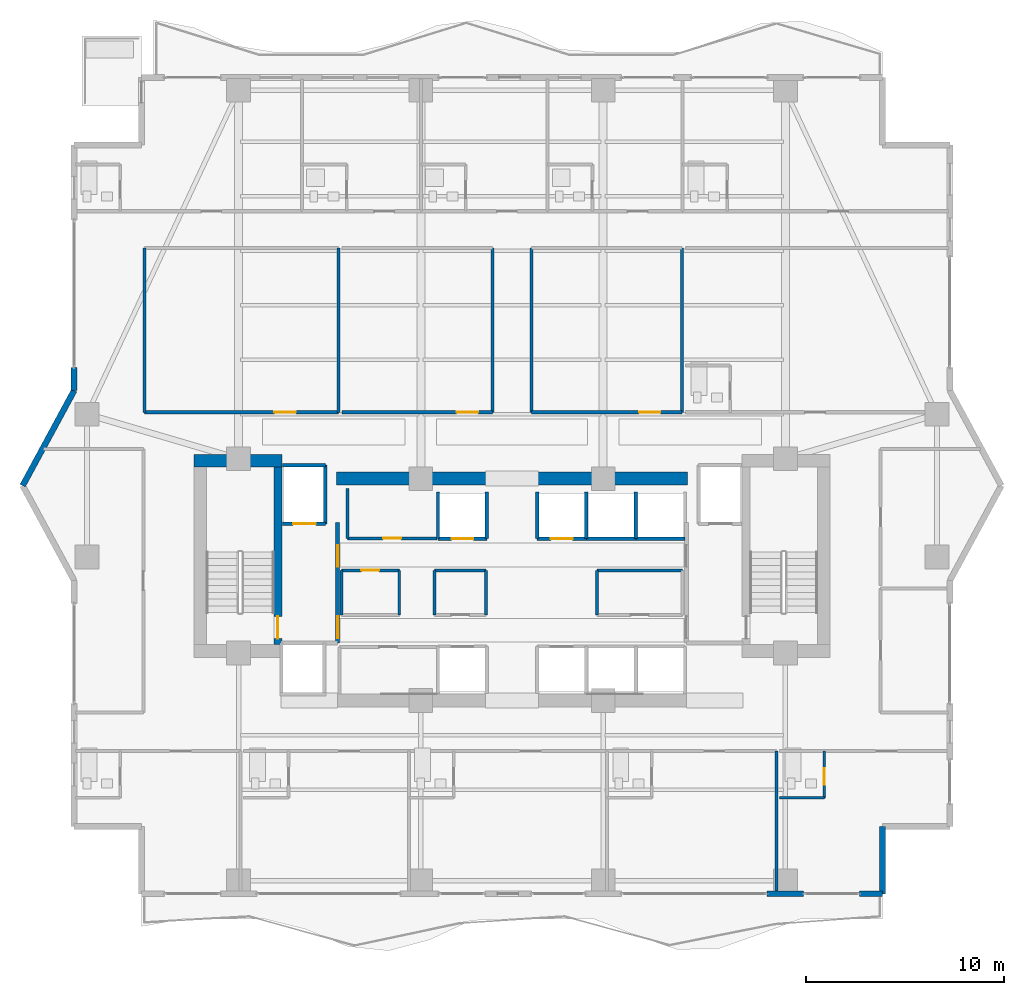
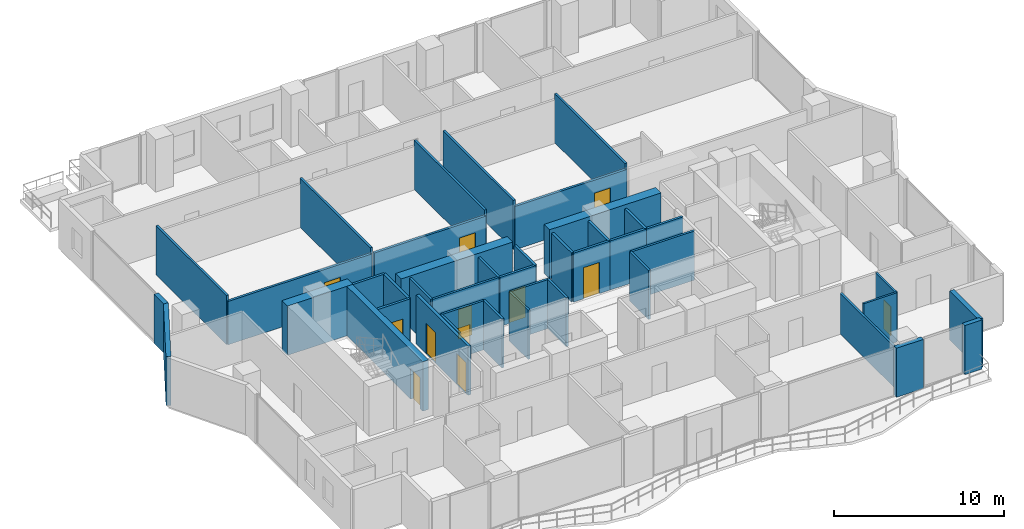
# One storey, part 25 of 32: 43 walls, 12 doors, 12 openings.
"""IFC4 building model written with IfcOpenShell, lengths in metres."""

from ifc_helpers import new_model, si_unit, direction, frame, frame_2d, origin, place, context, subcontext, project, spatial, rectangle, extrude, material, layer, layer_set, type_object, element, fill, save


model = new_model("IFC4")

# Units and contexts
model_context = context("Model", 3, precision=1e-05, world=origin(), true_north=direction((0.0, 1.0)))
body_context = subcontext(model_context, "Body", "Model", "MODEL_VIEW")
ifc_project = project(units=[si_unit("LENGTHUNIT", "METRE"), si_unit("AREAUNIT", "SQUARE_METRE"), si_unit("VOLUMEUNIT", "CUBIC_METRE"), si_unit("PLANEANGLEUNIT", "RADIAN"), si_unit("MASSUNIT", "GRAM", prefix="KILO")], contexts=[model_context])

# Site, building, storey
site_placement = place(None, origin())
site = spatial("IfcSite", under=ifc_project, at=site_placement, CompositionType="ELEMENT")
building_placement = place(site_placement, origin())
building = spatial("IfcBuilding", under=site, at=building_placement, Name="Zuhayl Quay Hotel", CompositionType="ELEMENT")
storey_placement = place(building_placement, frame((0.0, 0.0, 181.14990234375)))
storey = spatial("IfcBuildingStorey", under=building, at=storey_placement, Name="L45", CompositionType="ELEMENT", Elevation=181.14990234375)

# Walls
ifc_material_1 = material(Name="Concrete C50/60", Category="concrete")
ifc_layer_1 = layer(ifc_material_1, 0.64990234375, Name="Concrete C50/60", Category="concrete")
ifc_layer_set_1 = layer_set([ifc_layer_1], Name="Concrete C50/60")
wall_type_1 = type_object("IfcWallType", Name="WL_CORE_650", PredefinedType="SHEAR", material=ifc_layer_set_1)
wall_1_placement = place(storey_placement, frame((-16.06005859375, 14.2548828125, 0.0), z_axis=(0.0, 0.0, 1.0), x_axis=(1.0, 0.0, 0.0)))
element("IfcWall", 1, at=wall_1_placement, inside=storey, type_object=wall_type_1, Name="L45 Core Shear Wall CW_NW", PredefinedType="SHEAR", context=body_context, shape_type="SweptSolid", body=[
    extrude(rectangle(XDim=4.4599609375, YDim=0.64990234375, at=frame_2d((2.22998046875, 0.0))), origin(), (0.0, 0.0, 1.0), 3.56005859375),
])
for number, where, z_axis, x_axis, name in (
    (2, (-8.85009765625, 13.35009765625, 0.0), (0.0, 0.0, 1.0), (1.0, 0.0, 0.0), "L45 Core Shear Wall CW_NC_W"),
    (3, (1.25, 13.35009765625, 0.0), (0.0, 0.0, 1.0), (1.0, 0.0, 0.0), "L45 Core Shear Wall CW_NC_E"),
):
    element("IfcWall", number, at=place(storey_placement, frame(where, z_axis=z_axis, x_axis=x_axis)), inside=storey, type_object=wall_type_1, Name=name, PredefinedType="SHEAR", context=body_context, shape_type="SweptSolid", body=[
        extrude(rectangle(XDim=7.60009765625, YDim=0.64990234375, at=frame_2d((3.800048828125, 0.0))), origin(), (0.0, 0.0, 1.0), 3.530029296875),
    ])
ifc_material_2 = material(Name="Precast concrete C45/55", Category="concrete")
ifc_layer_2 = layer(ifc_material_2, 0.300048828125, Name="Precast concrete C45/55", Category="concrete")
ifc_layer_set_2 = layer_set([ifc_layer_2], Name="Precast concrete C45/55")
wall_type_2 = type_object("IfcWallType", Name="WL_EXT_300", PredefinedType="STANDARD", material=ifc_layer_set_2)
wall_2_placement = place(storey_placement, frame((-24.699951171875, 13.0, 0.0), z_axis=(0.0, 0.0, 1.0), x_axis=(0.476258655584, 0.879305233114, 0.0)))
element("IfcWall", 4, at=wall_2_placement, inside=storey, type_object=wall_type_2, Name="L45 Exterior Precast Wall ENV_L45_EW04", PredefinedType="STANDARD", context=body_context, shape_type="SweptSolid", body=[
    extrude(rectangle(XDim=5.458984375, YDim=0.300048828125, at=frame_2d((2.7294921875, 0.0))), origin(), (0.0, 0.0, 1.0), 3.530029296875),
])
wall_3_placement = place(storey_placement, frame((-22.10009765625, 17.800048828125, 0.0), z_axis=(0.0, 0.0, 1.0), x_axis=(0.0, 1.0, 0.0)))
element("IfcWall", 5, at=wall_3_placement, inside=storey, type_object=wall_type_2, Name="L45 Exterior Precast Wall ENV_L45_E05_EW1", PredefinedType="STANDARD", context=body_context, shape_type="SweptSolid", body=[
    extrude(rectangle(XDim=1.14990234375, YDim=0.300048828125, at=frame_2d((0.574951171875, 0.0))), origin(), (0.0, 0.0, 1.0), 3.530029296875),
])
wall_4_placement = place(storey_placement, frame((18.699951171875, -4.199951171875, 0.0), z_axis=(0.0, 0.0, 1.0), x_axis=(0.0, -1.0, 0.0)))
element("IfcWall", 6, at=wall_4_placement, inside=storey, type_object=wall_type_2, Name="L45 Exterior Precast Wall ENV_L45_EW16", PredefinedType="STANDARD", context=body_context, shape_type="SweptSolid", body=[
    extrude(rectangle(XDim=3.400146484375, YDim=0.300048828125, at=frame_2d((1.7001953125, 0.0))), origin(), (0.0, 0.0, 1.0), 3.530029296875),
])
wall_5_placement = place(storey_placement, frame((18.699951171875, -7.60009765625, 0.0), z_axis=(0.0, 0.0, 1.0), x_axis=(-1.0, 0.0, 0.0)))
element("IfcWall", 7, at=wall_5_placement, inside=storey, type_object=wall_type_2, Name="L45 Exterior Precast Wall ENV_L45_S_EW1", PredefinedType="STANDARD", context=body_context, shape_type="SweptSolid", body=[
    extrude(rectangle(XDim=1.14990234375, YDim=0.300048828125, at=frame_2d((0.574951171875, 0.0))), origin(), (0.0, 0.0, 1.0), 3.530029296875),
])
wall_6_placement = place(storey_placement, frame((14.719970703125, -7.60009765625, 0.0), z_axis=(0.0, 0.0, 1.0), x_axis=(-1.0, 0.0, 0.0)))
element("IfcWall", 8, at=wall_6_placement, inside=storey, type_object=wall_type_2, Name="L45 Exterior Precast Wall ENV_L45_S_EW2", PredefinedType="STANDARD", context=body_context, shape_type="SweptSolid", body=[
    extrude(rectangle(XDim=1.840087890625, YDim=0.300048828125, at=frame_2d((0.919921875, 0.0))), origin(), (0.0, 0.0, 1.0), 3.530029296875),
])

# Wall, opening, door
ifc_material_3 = material(Name="Acoustic Gypsum Partition STC-58")
ifc_layer_3 = layer(ifc_material_3, 0.14990234375, Name="Acoustic Gypsum Partition STC-58")
ifc_layer_set_3 = layer_set([ifc_layer_3], Name="Acoustic Gypsum Partition STC-58")
wall_type_3 = type_object("IfcWallType", Name="WL_PART_150", PredefinedType="PARTITIONING", material=ifc_layer_set_3)
wall_7_placement = place(storey_placement, frame((-8.31005859375, 10.340087890625, 0.0), z_axis=(0.0, 0.0, 1.0), x_axis=(1.0, 0.0, 0.0)))
wall_7 = element("IfcWall", 9, at=wall_7_placement, inside=storey, type_object=wall_type_3, Name="L45 Partition IW_L45_FLP_N_S", PredefinedType="PARTITIONING", context=body_context, shape_type="SweptSolid", body=[
    extrude(rectangle(XDim=4.52001953125, YDim=0.14990234375, at=frame_2d((2.260009765625, 0.0))), origin(), (0.0, 0.0, 1.0), 3.530029296875),
])
opening_1_placement = place(wall_7_placement, frame((1.81005859375, 0.0, 0.0)))
opening_1 = element("IfcOpeningElement", 10, at=opening_1_placement, cuts=wall_7, Name="Opening D06", PredefinedType="OPENING", context=body_context, shape_type="SweptSolid", body=[
    extrude(rectangle(XDim=0.89990234375, YDim=2.14990234375, at=frame_2d((0.449951171875, 1.074951171875))), frame((0.0, 0.0849609375, 0.0), z_axis=(0.0, -1.0, 0.0), x_axis=(1.0, 0.0, 0.0)), (0.0, 0.0, 1.0), 0.169921875),
])
ifc_material_4 = material(Name="Steel ASTM A992 Grade 50", Category="steel")
door_type_1 = type_object("IfcDoorType", Name="DR_INT_900", OperationType="NOTDEFINED", PredefinedType="DOOR", material=ifc_material_4)
door_1_placement = place(opening_1_placement, origin())
door_1 = element("IfcDoor", 11, at=door_1_placement, inside=storey, type_object=door_type_1, Name="L45 Valet Linen Store Door", OperationType="SINGLE_SWING_LEFT", OverallHeight=2.14990234375, OverallWidth=0.89990234375, PredefinedType="DOOR", context=body_context, shape_type="SweptSolid", body=[
    extrude(rectangle(XDim=0.89990234375, YDim=2.14990234375, at=frame_2d((0.449951171875, 1.074951171875))), frame((0.0, 0.02490234375, 0.0), z_axis=(0.0, -1.0, 0.0), x_axis=(1.0, 0.0, 0.0)), (0.0, 0.0, 1.0), 0.050048828125),
])
fill(opening_1, door_1)

wall_8_placement = place(storey_placement, frame((-8.610107421875, 8.719970703125, 0.0), z_axis=(0.0, 0.0, 1.0), x_axis=(1.0, 0.0, 0.0)))
wall_8 = element("IfcWall", 12, at=wall_8_placement, inside=storey, type_object=wall_type_3, Name="L45 Partition IW_L45_CORE_HK_N", PredefinedType="PARTITIONING", context=body_context, shape_type="SweptSolid", body=[
    extrude(rectangle(XDim=2.920166015625, YDim=0.14990234375, at=frame_2d((1.4599609375, 0.0))), origin(), (0.0, 0.0, 1.0), 3.530029296875),
])
opening_2_placement = place(wall_8_placement, frame((1.010009765625, 0.0, 0.0)))
opening_2 = element("IfcOpeningElement", 13, at=opening_2_placement, cuts=wall_8, Name="Opening D06", PredefinedType="OPENING", context=body_context, shape_type="SweptSolid", body=[
    extrude(rectangle(XDim=0.89990234375, YDim=2.14990234375, at=frame_2d((0.449951171875, 1.074951171875))), frame((0.0, 0.0849609375, 0.0), z_axis=(0.0, -1.0, 0.0), x_axis=(1.0, 0.0, 0.0)), (0.0, 0.0, 1.0), 0.169921875),
])
door_2_placement = place(opening_2_placement, origin())
door_2 = element("IfcDoor", 14, at=door_2_placement, inside=storey, type_object=door_type_1, Name="L45 Core Housekeeping Store Door", OperationType="SINGLE_SWING_RIGHT", OverallHeight=2.14990234375, OverallWidth=0.89990234375, PredefinedType="DOOR", context=body_context, shape_type="SweptSolid", body=[
    extrude(rectangle(XDim=0.89990234375, YDim=2.14990234375, at=frame_2d((0.449951171875, 1.074951171875))), frame((0.0, 0.02490234375, 0.0), z_axis=(0.0, -1.0, 0.0), x_axis=(1.0, 0.0, 0.0)), (0.0, 0.0, 1.0), 0.050048828125),
])
fill(opening_2, door_2)

# Walls
wall_9_placement = place(storey_placement, frame((-8.31005859375, 10.340087890625, 0.0), z_axis=(0.0, 0.0, 1.0), x_axis=(0.0, 1.0, 0.0)))
element("IfcWall", 15, at=wall_9_placement, inside=storey, type_object=wall_type_3, Name="L45 Partition IW_L45_FLP_N_W", PredefinedType="PARTITIONING", context=body_context, shape_type="SweptSolid", body=[
    extrude(rectangle(XDim=2.52001953125, YDim=0.14990234375, at=frame_2d((1.260009765625, 0.0))), origin(), (0.0, 0.0, 1.0), 3.530029296875),
])
for number, where, z_axis, x_axis, name in (
    (16, (-8.610107421875, 6.47998046875, 0.0), (0.0, 0.0, 1.0), (0.0, 1.0, 0.0), "L45 Partition IW_L45_CORE_HK_W"),
    (17, (-5.68994140625, 6.47998046875, 0.0), (0.0, 0.0, 1.0), (0.0, 1.0, 0.0), "L45 Partition IW_L45_CORE_HK_E"),
):
    element("IfcWall", number, at=place(storey_placement, frame(where, z_axis=z_axis, x_axis=x_axis)), inside=storey, type_object=wall_type_3, Name=name, PredefinedType="PARTITIONING", context=body_context, shape_type="SweptSolid", body=[
        extrude(rectangle(XDim=2.239990234375, YDim=0.14990234375, at=frame_2d((1.1201171875, 0.0))), origin(), (0.0, 0.0, 1.0), 3.530029296875),
    ])
wall_10_placement = place(storey_placement, frame((-3.909912109375, 8.719970703125, 0.0), z_axis=(0.0, 0.0, 1.0), x_axis=(1.0, 0.0, 0.0)))
element("IfcWall", 18, at=wall_10_placement, inside=storey, type_object=wall_type_3, Name="L45 Partition IW_L45_CORE_BC_N", PredefinedType="PARTITIONING", context=body_context, shape_type="SweptSolid", body=[
    extrude(rectangle(XDim=2.58984375, YDim=0.14990234375, at=frame_2d((1.294921875, 0.0))), origin(), (0.0, 0.0, 1.0), 3.530029296875),
])
for number, where, z_axis, x_axis, name in (
    (19, (-3.909912109375, 6.47998046875, 0.0), (0.0, 0.0, 1.0), (0.0, 1.0, 0.0), "L45 Partition IW_L45_CORE_BC_W"),
    (20, (-1.320068359375, 6.47998046875, 0.0), (0.0, 0.0, 1.0), (0.0, 1.0, 0.0), "L45 Partition IW_L45_CORE_BC_E"),
):
    element("IfcWall", number, at=place(storey_placement, frame(where, z_axis=z_axis, x_axis=x_axis)), inside=storey, type_object=wall_type_3, Name=name, PredefinedType="PARTITIONING", context=body_context, shape_type="SweptSolid", body=[
        extrude(rectangle(XDim=2.239990234375, YDim=0.14990234375, at=frame_2d((1.1201171875, 0.0))), origin(), (0.0, 0.0, 1.0), 3.530029296875),
    ])
wall_11_placement = place(storey_placement, frame((4.2900390625, 8.719970703125, 0.0), z_axis=(0.0, 0.0, 1.0), x_axis=(1.0, 0.0, 0.0)))
element("IfcWall", 21, at=wall_11_placement, inside=storey, type_object=wall_type_3, Name="L45 Partition IW_L45_CORE_VL_N", PredefinedType="PARTITIONING", context=body_context, shape_type="SweptSolid", body=[
    extrude(rectangle(XDim=4.320068359375, YDim=0.14990234375, at=frame_2d((2.16015625, 0.0))), origin(), (0.0, 0.0, 1.0), 3.530029296875),
])
wall_12_placement = place(storey_placement, frame((4.2900390625, 6.47998046875, 0.0), z_axis=(0.0, 0.0, 1.0), x_axis=(0.0, 1.0, 0.0)))
element("IfcWall", 22, at=wall_12_placement, inside=storey, type_object=wall_type_3, Name="L45 Partition IW_L45_CORE_VL_W", PredefinedType="PARTITIONING", context=body_context, shape_type="SweptSolid", body=[
    extrude(rectangle(XDim=2.239990234375, YDim=0.14990234375, at=frame_2d((1.1201171875, 0.0))), origin(), (0.0, 0.0, 1.0), 3.530029296875),
])
for number, where, z_axis, x_axis, name in (
    (23, (-18.550048828125, 16.699951171875, 0.0), (0.0, 0.0, 1.0), (0.0, 1.0, 0.0), "L45 Partition IW_L45_Z3_SAL_W1_W"),
    (24, (-8.75, 16.699951171875, 0.0), (0.0, 0.0, 1.0), (0.0, 1.0, 0.0), "L45 Partition IW_L45_Z3_SAL_W1_E"),
    (25, (-0.97998046875, 16.699951171875, 0.0), (0.0, 0.0, 1.0), (0.0, 1.0, 0.0), "L45 Partition IW_L45_Z3_SAL_W2_E"),
    (26, (0.97998046875, 16.699951171875, 0.0), (0.0, 0.0, 1.0), (0.0, 1.0, 0.0), "L45 Partition IW_L45_Z3_SAL_E1_W"),
    (27, (8.590087890625, 16.699951171875, 0.0), (0.0, 0.0, 1.0), (0.0, 1.0, 0.0), "L45 Partition IW_L45_Z3_SAL_E1_E"),
):
    element("IfcWall", number, at=place(storey_placement, frame(where, z_axis=z_axis, x_axis=x_axis)), inside=storey, type_object=wall_type_3, Name=name, PredefinedType="PARTITIONING", context=body_context, shape_type="SweptSolid", body=[
        extrude(rectangle(XDim=8.300048828125, YDim=0.14990234375, at=frame_2d((4.14990234375, 0.0))), origin(), (0.0, 0.0, 1.0), 3.530029296875),
    ])
wall_13_placement = place(storey_placement, frame((13.340087890625, -7.52001953125, 0.0), z_axis=(0.0, 0.0, 1.0), x_axis=(0.0, 1.0, 0.0)))
element("IfcWall", 28, at=wall_13_placement, inside=storey, type_object=wall_type_3, Name="L45 Partition IW_L45_SU03A_E", PredefinedType="PARTITIONING", context=body_context, shape_type="SweptSolid", body=[
    extrude(rectangle(XDim=7.1201171875, YDim=0.14990234375, at=frame_2d((3.56005859375, 0.0))), origin(), (0.0, 0.0, 1.0), 2.923095703125),
])

# Wall, opening, door
ifc_layer_4 = layer(ifc_material_3, 0.159912109375, Name="Acoustic Gypsum Partition STC-58")
ifc_layer_set_4 = layer_set([ifc_layer_4], Name="Acoustic Gypsum Partition STC-58")
wall_type_4 = type_object("IfcWallType", Name="WL_PART_CORR_160", PredefinedType="PARTITIONING", material=ifc_layer_set_4)
wall_14_placement = place(storey_placement, frame((-18.550048828125, 16.699951171875, 0.0), z_axis=(0.0, 0.0, 1.0), x_axis=(1.0, 0.0, 0.0)))
wall_14 = element("IfcWall", 29, at=wall_14_placement, inside=storey, type_object=wall_type_4, Name="L45 Partition IW_L45_Z3_SAL_W1_S", PredefinedType="PARTITIONING", context=body_context, shape_type="SweptSolid", body=[
    extrude(rectangle(XDim=9.800048828125, YDim=0.159912109375, at=frame_2d((4.89990234375, 0.0))), origin(), (0.0, 0.0, 1.0), 3.1240234375),
])
opening_3_placement = place(wall_14_placement, frame((6.56005859375, 0.0, 0.0)))
opening_3 = element("IfcOpeningElement", 30, at=opening_3_placement, cuts=wall_14, Name="Opening D05A", PredefinedType="OPENING", context=body_context, shape_type="SweptSolid", body=[
    extrude(rectangle(XDim=1.080078125, YDim=2.179931640625, at=frame_2d((0.5400390625, 1.08984375))), frame((0.0, 0.08984375, 0.0), z_axis=(0.0, -1.0, 0.0), x_axis=(1.0, 0.0, 0.0)), (0.0, 0.0, 1.0), 0.179931640625),
])
ifc_material_5 = material(Name="Solid Walnut Acoustic Fire Door")
door_type_2 = type_object("IfcDoorType", Name="DR_INT_1100", OperationType="NOTDEFINED", PredefinedType="DOOR", material=ifc_material_5)
door_3_placement = place(opening_3_placement, origin())
door_3 = element("IfcDoor", 31, at=door_3_placement, inside=storey, type_object=door_type_2, Name="L45 Spa Club Salon Door", OperationType="SINGLE_SWING_LEFT", OverallHeight=2.179931640625, OverallWidth=1.080078125, PredefinedType="DOOR", context=body_context, shape_type="SweptSolid", body=[
    extrude(rectangle(XDim=1.080078125, YDim=2.179931640625, at=frame_2d((0.5400390625, 1.08984375))), frame((0.0, 0.02490234375, 0.0), z_axis=(0.0, -1.0, 0.0), x_axis=(1.0, 0.0, 0.0)), (0.0, 0.0, 1.0), 0.050048828125),
])
fill(opening_3, door_3)

wall_15_placement = place(storey_placement, frame((-8.590087890625, 16.699951171875, 0.0), z_axis=(0.0, 0.0, 1.0), x_axis=(1.0, 0.0, 0.0)))
wall_15 = element("IfcWall", 32, at=wall_15_placement, inside=storey, type_object=wall_type_4, Name="L45 Partition IW_L45_Z3_SAL_W2_S", PredefinedType="PARTITIONING", context=body_context, shape_type="SweptSolid", body=[
    extrude(rectangle(XDim=7.610107421875, YDim=0.159912109375, at=frame_2d((3.80517578125, 0.0))), origin(), (0.0, 0.0, 1.0), 3.1240234375),
])
opening_4_placement = place(wall_15_placement, frame((5.800048828125, 0.0, 0.0)))
opening_4 = element("IfcOpeningElement", 33, at=opening_4_placement, cuts=wall_15, Name="Opening D05A", PredefinedType="OPENING", context=body_context, shape_type="SweptSolid", body=[
    extrude(rectangle(XDim=1.080078125, YDim=2.179931640625, at=frame_2d((0.5400390625, 1.08984375))), frame((0.0, 0.08984375, 0.0), z_axis=(0.0, -1.0, 0.0), x_axis=(1.0, 0.0, 0.0)), (0.0, 0.0, 1.0), 0.179931640625),
])
door_4_placement = place(opening_4_placement, origin())
door_4 = element("IfcDoor", 34, at=door_4_placement, inside=storey, type_object=door_type_2, Name="L45 Spa Reading Lounge Door", OperationType="SINGLE_SWING_RIGHT", OverallHeight=2.179931640625, OverallWidth=1.080078125, PredefinedType="DOOR", context=body_context, shape_type="SweptSolid", body=[
    extrude(rectangle(XDim=1.080078125, YDim=2.179931640625, at=frame_2d((0.5400390625, 1.08984375))), frame((0.0, 0.02490234375, 0.0), z_axis=(0.0, -1.0, 0.0), x_axis=(1.0, 0.0, 0.0)), (0.0, 0.0, 1.0), 0.050048828125),
])
fill(opening_4, door_4)

wall_16_placement = place(storey_placement, frame((0.97998046875, 16.699951171875, 0.0), z_axis=(0.0, 0.0, 1.0), x_axis=(1.0, 0.0, 0.0)))
wall_16 = element("IfcWall", 35, at=wall_16_placement, inside=storey, type_object=wall_type_4, Name="L45 Partition IW_L45_Z3_SAL_E1_S", PredefinedType="PARTITIONING", context=body_context, shape_type="SweptSolid", body=[
    extrude(rectangle(XDim=7.610107421875, YDim=0.159912109375, at=frame_2d((3.80517578125, 0.0))), origin(), (0.0, 0.0, 1.0), 3.1240234375),
])
opening_5_placement = place(wall_16_placement, frame((5.429931640625, 0.0, 0.0)))
opening_5 = element("IfcOpeningElement", 36, at=opening_5_placement, cuts=wall_16, Name="Opening D05A", PredefinedType="OPENING", context=body_context, shape_type="SweptSolid", body=[
    extrude(rectangle(XDim=1.080078125, YDim=2.179931640625, at=frame_2d((0.5400390625, 1.08984375))), frame((0.0, 0.08984375, 0.0), z_axis=(0.0, -1.0, 0.0), x_axis=(1.0, 0.0, 0.0)), (0.0, 0.0, 1.0), 0.179931640625),
])
door_5_placement = place(opening_5_placement, origin())
door_5 = element("IfcDoor", 37, at=door_5_placement, inside=storey, type_object=door_type_2, Name="L45 Club Concierge Salon Door", OperationType="SINGLE_SWING_LEFT", OverallHeight=2.179931640625, OverallWidth=1.080078125, PredefinedType="DOOR", context=body_context, shape_type="SweptSolid", body=[
    extrude(rectangle(XDim=1.080078125, YDim=2.179931640625, at=frame_2d((0.5400390625, 1.08984375))), frame((0.0, 0.02490234375, 0.0), z_axis=(0.0, -1.0, 0.0), x_axis=(1.0, 0.0, 0.0)), (0.0, 0.0, 1.0), 0.050048828125),
])
fill(opening_5, door_5)

ifc_material_6 = material(Name="Moisture-Resistant Sanitarychase Gypsum")
ifc_layer_5 = layer(ifc_material_6, 0.135009765625, Name="Moisture-Resistant Sanitarychase Gypsum")
ifc_layer_set_5 = layer_set([ifc_layer_5], Name="Moisture-Resistant Sanitarychase Gypsum")
wall_type_5 = type_object("IfcWallType", Name="WL_PART_PLUMB_150", PredefinedType="PLUMBINGWALL", material=ifc_layer_set_5)
wall_17_placement = place(storey_placement, frame((15.760009765625, -2.760009765625, 0.0), z_axis=(0.0, 0.0, 1.0), x_axis=(0.0, 1.0, 0.0)))
wall_17 = element("IfcWall", 38, at=wall_17_placement, inside=storey, type_object=wall_type_5, Name="L45 Partition IW_L45_SU03B_BE", PredefinedType="PLUMBINGWALL", context=body_context, shape_type="SweptSolid", body=[
    extrude(rectangle(XDim=2.360107421875, YDim=0.135009765625, at=frame_2d((1.18017578125, 0.0))), origin(), (0.0, 0.0, 1.0), 3.530029296875),
])
opening_6_placement = place(wall_17_placement, frame((0.64990234375, 0.0, 0.0)))
opening_6 = element("IfcOpeningElement", 39, at=opening_6_placement, cuts=wall_17, Name="Opening D04", PredefinedType="OPENING", context=body_context, shape_type="SweptSolid", body=[
    extrude(rectangle(XDim=0.85009765625, YDim=2.10009765625, at=frame_2d((0.425048828125, 1.050048828125))), frame((0.0, 0.077392578125, 0.0), z_axis=(0.0, -1.0, 0.0), x_axis=(1.0, 0.0, 0.0)), (0.0, 0.0, 1.0), 0.155029296875),
])
ifc_material_7 = material(Name="Moisture-Resistant Walnut Veneer")
door_type_3 = type_object("IfcDoorType", Name="DR_BATH_850", OperationType="NOTDEFINED", PredefinedType="DOOR", material=ifc_material_7)
door_6_placement = place(opening_6_placement, origin())
door_6 = element("IfcDoor", 40, at=door_6_placement, inside=storey, type_object=door_type_3, Name="L45 City-View Junior Suite L45-03B En-Suite Door", OperationType="SINGLE_SWING_RIGHT", OverallHeight=2.10009765625, OverallWidth=0.85009765625, PredefinedType="DOOR", context=body_context, shape_type="SweptSolid", body=[
    extrude(rectangle(XDim=0.85009765625, YDim=2.10009765625, at=frame_2d((0.425048828125, 1.050048828125))), frame((0.0, 0.02490234375, 0.0), z_axis=(0.0, -1.0, 0.0), x_axis=(1.0, 0.0, 0.0)), (0.0, 0.0, 1.0), 0.050048828125),
])
fill(opening_6, door_6)

# Wall
wall_18_placement = place(storey_placement, frame((13.5, -2.760009765625, 0.0), z_axis=(0.0, 0.0, 1.0), x_axis=(1.0, 0.0, 0.0)))
element("IfcWall", 41, at=wall_18_placement, inside=storey, type_object=wall_type_5, Name="L45 Partition IW_L45_SU03B_BS", PredefinedType="PLUMBINGWALL", context=body_context, shape_type="SweptSolid", body=[
    extrude(rectangle(XDim=2.260009765625, YDim=0.135009765625, at=frame_2d((1.1298828125, 0.0))), origin(), (0.0, 0.0, 1.0), 3.530029296875),
])

# Wall, opening, door
ifc_material_8 = material(Name="Gypsum Fireboard Assembly EI-90")
ifc_layer_6 = layer(ifc_material_8, 0.1650390625, Name="Gypsum Fireboard Assembly EI-90")
ifc_layer_set_6 = layer_set([ifc_layer_6], Name="Gypsum Fireboard Assembly EI-90")
wall_type_6 = type_object("IfcWallType", Name="WL_PART_SHAFT_160", PredefinedType="PARTITIONING", material=ifc_layer_set_6)
wall_19_placement = place(storey_placement, frame((-11.580078125, 11.070068359375, 0.0), z_axis=(0.0, 0.0, 1.0), x_axis=(1.0, 0.0, 0.0)))
wall_19 = element("IfcWall", 42, at=wall_19_placement, inside=storey, type_object=wall_type_6, Name="L45 Partition IW_L45_SH_FL1_F", PredefinedType="PARTITIONING", context=body_context, shape_type="SweptSolid", body=[
    extrude(rectangle(XDim=2.16015625, YDim=0.1650390625, at=frame_2d((1.080078125, 0.0))), origin(), (0.0, 0.0, 1.0), 3.530029296875),
])
opening_7_placement = place(wall_19_placement, frame((0.530029296875, 0.0, 0.0)))
opening_7 = element("IfcOpeningElement", 43, at=opening_7_placement, cuts=wall_19, Name="Opening LD2", PredefinedType="OPENING", context=body_context, shape_type="SweptSolid", body=[
    extrude(rectangle(XDim=1.14990234375, YDim=2.25, at=frame_2d((0.574951171875, 1.125))), frame((0.0, 0.092529296875, 0.0), z_axis=(0.0, -1.0, 0.0), x_axis=(1.0, 0.0, 0.0)), (0.0, 0.0, 1.0), 0.18505859375),
])
ifc_material_9 = material(Name="Brushed Stainless Steel", Category="steel")
door_type_4 = type_object("IfcDoorType", Name="DR_LIFT_FF_1100", OperationType="SLIDING_TO_LEFT", PredefinedType="DOOR", material=ifc_material_9)
door_7_placement = place(opening_7_placement, origin())
door_7 = element("IfcDoor", 44, at=door_7_placement, inside=storey, type_object=door_type_4, Name="L45 Lift FL1 Sliding Landing Door", OperationType="SLIDING_TO_LEFT", OverallHeight=2.25, OverallWidth=1.14990234375, PredefinedType="DOOR", context=body_context, shape_type="SweptSolid", body=[
    extrude(rectangle(XDim=1.14990234375, YDim=2.25, at=frame_2d((0.574951171875, 1.125))), frame((0.0, 0.02490234375, 0.0), z_axis=(0.0, -1.0, 0.0), x_axis=(1.0, 0.0, 0.0)), (0.0, 0.0, 1.0), 0.050048828125),
])
fill(opening_7, door_7)

wall_20_placement = place(storey_placement, frame((-3.72998046875, 10.320068359375, 0.0), z_axis=(0.0, 0.0, 1.0), x_axis=(1.0, 0.0, 0.0)))
wall_20 = element("IfcWall", 45, at=wall_20_placement, inside=storey, type_object=wall_type_6, Name="L45 Partition IW_L45_SH_MP3_F", PredefinedType="PARTITIONING", context=body_context, shape_type="SweptSolid", body=[
    extrude(rectangle(XDim=2.4599609375, YDim=0.1650390625, at=frame_2d((1.22998046875, 0.0))), origin(), (0.0, 0.0, 1.0), 3.530029296875),
])
opening_8_placement = place(wall_20_placement, frame((0.679931640625, 0.0, 0.0)))
opening_8 = element("IfcOpeningElement", 46, at=opening_8_placement, cuts=wall_20, Name="Opening LD1", PredefinedType="OPENING", context=body_context, shape_type="SweptSolid", body=[
    extrude(rectangle(XDim=1.10009765625, YDim=2.25, at=frame_2d((0.550048828125, 1.125))), frame((0.0, 0.092529296875, 0.0), z_axis=(0.0, -1.0, 0.0), x_axis=(1.0, 0.0, 0.0)), (0.0, 0.0, 1.0), 0.18505859375),
])
door_type_5 = type_object("IfcDoorType", Name="DR_LIFT_PASS_1100", OperationType="SLIDING_TO_LEFT", PredefinedType="DOOR", material=ifc_material_9)
door_8_placement = place(opening_8_placement, origin())
door_8 = element("IfcDoor", 47, at=door_8_placement, inside=storey, type_object=door_type_5, Name="L45 Lift MP3 Sliding Landing Door", OperationType="SLIDING_TO_LEFT", OverallHeight=2.25, OverallWidth=1.10009765625, PredefinedType="DOOR", context=body_context, shape_type="SweptSolid", body=[
    extrude(rectangle(XDim=1.10009765625, YDim=2.25, at=frame_2d((0.550048828125, 1.125))), frame((0.0, 0.02490234375, 0.0), z_axis=(0.0, -1.0, 0.0), x_axis=(1.0, 0.0, 0.0)), (0.0, 0.0, 1.0), 0.050048828125),
])
fill(opening_8, door_8)

wall_21_placement = place(storey_placement, frame((1.27001953125, 10.320068359375, 0.0), z_axis=(0.0, 0.0, 1.0), x_axis=(1.0, 0.0, 0.0)))
wall_21 = element("IfcWall", 48, at=wall_21_placement, inside=storey, type_object=wall_type_6, Name="L45 Partition IW_L45_SH_MP4_F", PredefinedType="PARTITIONING", context=body_context, shape_type="SweptSolid", body=[
    extrude(rectangle(XDim=2.47998046875, YDim=0.1650390625, at=frame_2d((1.239990234375, 0.0))), origin(), (0.0, 0.0, 1.0), 3.530029296875),
])
opening_9_placement = place(wall_21_placement, frame((0.68994140625, 0.0, 0.0)))
opening_9 = element("IfcOpeningElement", 49, at=opening_9_placement, cuts=wall_21, Name="Opening LD1", PredefinedType="OPENING", context=body_context, shape_type="SweptSolid", body=[
    extrude(rectangle(XDim=1.10009765625, YDim=2.25, at=frame_2d((0.550048828125, 1.125))), frame((0.0, 0.092529296875, 0.0), z_axis=(0.0, -1.0, 0.0), x_axis=(1.0, 0.0, 0.0)), (0.0, 0.0, 1.0), 0.18505859375),
])
door_9_placement = place(opening_9_placement, origin())
door_9 = element("IfcDoor", 50, at=door_9_placement, inside=storey, type_object=door_type_5, Name="L45 Lift MP4 Sliding Landing Door", OperationType="SLIDING_TO_LEFT", OverallHeight=2.25, OverallWidth=1.10009765625, PredefinedType="DOOR", context=body_context, shape_type="SweptSolid", body=[
    extrude(rectangle(XDim=1.10009765625, YDim=2.25, at=frame_2d((0.550048828125, 1.125))), frame((0.0, 0.02490234375, 0.0), z_axis=(0.0, -1.0, 0.0), x_axis=(1.0, 0.0, 0.0)), (0.0, 0.0, 1.0), 0.050048828125),
])
fill(opening_9, door_9)

# Walls
wall_22_placement = place(storey_placement, frame((-9.419921875, 11.070068359375, 0.0), z_axis=(0.0, 0.0, 1.0), x_axis=(0.0, 1.0, 0.0)))
element("IfcWall", 51, at=wall_22_placement, inside=storey, type_object=wall_type_6, Name="L45 Partition IW_L45_SH_FL1_E", PredefinedType="PARTITIONING", context=body_context, shape_type="SweptSolid", body=[
    extrude(rectangle(XDim=2.9599609375, YDim=0.1650390625, at=frame_2d((1.47998046875, 0.0))), origin(), (0.0, 0.0, 1.0), 3.530029296875),
])
wall_23_placement = place(storey_placement, frame((-11.580078125, 14.030029296875, 0.0), z_axis=(0.0, 0.0, 1.0), x_axis=(1.0, 0.0, 0.0)))
element("IfcWall", 52, at=wall_23_placement, inside=storey, type_object=wall_type_6, Name="L45 Partition IW_L45_SH_FL1_B", PredefinedType="PARTITIONING", context=body_context, shape_type="SweptSolid", body=[
    extrude(rectangle(XDim=2.16015625, YDim=0.1650390625, at=frame_2d((1.080078125, 0.0))), origin(), (0.0, 0.0, 1.0), 3.530029296875),
])
for number, where, z_axis, x_axis, name in (
    (53, (-3.72998046875, 10.320068359375, 0.0), (0.0, 0.0, 1.0), (0.0, 1.0, 0.0), "L45 Partition IW_L45_SH_MP3_W"),
    (54, (-1.27001953125, 10.320068359375, 0.0), (0.0, 0.0, 1.0), (0.0, 1.0, 0.0), "L45 Partition IW_L45_SH_MP3_E"),
    (55, (1.27001953125, 10.320068359375, 0.0), (0.0, 0.0, 1.0), (0.0, 1.0, 0.0), "L45 Partition IW_L45_SH_MP4_W"),
    (56, (3.75, 10.320068359375, 0.0), (0.0, 0.0, 1.0), (0.0, 1.0, 0.0), "L45 Partition IW_L45_SH_MP4_E"),
):
    element("IfcWall", number, at=place(storey_placement, frame(where, z_axis=z_axis, x_axis=x_axis)), inside=storey, type_object=wall_type_6, Name=name, PredefinedType="PARTITIONING", context=body_context, shape_type="SweptSolid", body=[
        extrude(rectangle(XDim=2.35986328125, YDim=0.1650390625, at=frame_2d((1.179931640625, 0.0))), origin(), (0.0, 0.0, 1.0), 3.530029296875),
    ])
wall_24_placement = place(storey_placement, frame((3.75, 10.320068359375, 0.0), z_axis=(0.0, 0.0, 1.0), x_axis=(1.0, 0.0, 0.0)))
element("IfcWall", 57, at=wall_24_placement, inside=storey, type_object=wall_type_6, Name="L45 Partition IW_L45_SH_HP3_F", PredefinedType="PARTITIONING", context=body_context, shape_type="SweptSolid", body=[
    extrude(rectangle(XDim=2.5, YDim=0.1650390625, at=frame_2d((1.25, 0.0))), origin(), (0.0, 0.0, 1.0), 3.530029296875),
])
wall_25_placement = place(storey_placement, frame((6.25, 10.320068359375, 0.0), z_axis=(0.0, 0.0, 1.0), x_axis=(0.0, 1.0, 0.0)))
element("IfcWall", 58, at=wall_25_placement, inside=storey, type_object=wall_type_6, Name="L45 Partition IW_L45_SH_HP3_E", PredefinedType="PARTITIONING", context=body_context, shape_type="SweptSolid", body=[
    extrude(rectangle(XDim=2.35986328125, YDim=0.1650390625, at=frame_2d((1.179931640625, 0.0))), origin(), (0.0, 0.0, 1.0), 3.530029296875),
])
wall_26_placement = place(storey_placement, frame((6.25, 10.320068359375, 0.0), z_axis=(0.0, 0.0, 1.0), x_axis=(1.0, 0.0, 0.0)))
element("IfcWall", 59, at=wall_26_placement, inside=storey, type_object=wall_type_6, Name="L45 Partition IW_L45_SH_HP4_F", PredefinedType="PARTITIONING", context=body_context, shape_type="SweptSolid", body=[
    extrude(rectangle(XDim=2.47998046875, YDim=0.1650390625, at=frame_2d((1.239990234375, 0.0))), origin(), (0.0, 0.0, 1.0), 3.530029296875),
])

# Wall, openings, doors
ifc_material_10 = material(Name="Gypsum Fireboard Assembly EI-120")
ifc_layer_7 = layer(ifc_material_10, 0.199951171875, Name="Gypsum Fireboard Assembly EI-120")
ifc_layer_set_7 = layer_set([ifc_layer_7], Name="Gypsum Fireboard Assembly EI-120")
wall_type_7 = type_object("IfcWallType", Name="WL_PART_SHAFT_200", PredefinedType="PARTITIONING", material=ifc_layer_set_7)
wall_27_placement = place(storey_placement, frame((-8.800048828125, 5.050048828125, 0.0), z_axis=(0.0, 0.0, 1.0), x_axis=(0.0, 1.0, 0.0)))
wall_27 = element("IfcWall", 60, at=wall_27_placement, inside=storey, type_object=wall_type_7, Name="L45 Partition IW_L45_FSAE_W_E", PredefinedType="PARTITIONING", context=body_context, shape_type="SweptSolid", body=[
    extrude(rectangle(XDim=6.099853515625, YDim=0.199951171875, at=frame_2d((3.0498046875, 0.0))), origin(), (0.0, 0.0, 1.0), 3.530029296875),
])
opening_10_placement = place(wall_27_placement, frame((0.25, 0.0, 0.0)))
opening_10 = element("IfcOpeningElement", 61, at=opening_10_placement, cuts=wall_27, Name="Opening D02", PredefinedType="OPENING", context=body_context, shape_type="SweptSolid", body=[
    extrude(rectangle(XDim=1.10009765625, YDim=2.199951171875, at=frame_2d((0.550048828125, 1.10009765625))), frame((0.0, 0.10986328125, 0.0), z_axis=(0.0, -1.0, 0.0), x_axis=(1.0, 0.0, 0.0)), (0.0, 0.0, 1.0), 0.219970703125),
])
opening_11_placement = place(wall_27_placement, frame((3.85009765625, 0.0, 0.0)))
opening_11 = element("IfcOpeningElement", 62, at=opening_11_placement, cuts=wall_27, Name="Opening D02", PredefinedType="OPENING", context=body_context, shape_type="SweptSolid", body=[
    extrude(rectangle(XDim=1.10009765625, YDim=2.199951171875, at=frame_2d((0.550048828125, 1.10009765625))), frame((0.0, 0.10986328125, 0.0), z_axis=(0.0, -1.0, 0.0), x_axis=(1.0, 0.0, 0.0)), (0.0, 0.0, 1.0), 0.219970703125),
])
door_type_6 = type_object("IfcDoorType", Name="DR_FIRE_90_1100", OperationType="NOTDEFINED", PredefinedType="DOOR", material=ifc_material_4)
door_10_placement = place(opening_10_placement, origin())
door_10 = element("IfcDoor", 63, at=door_10_placement, inside=storey, type_object=door_type_6, Name="L45 FSAE Lobby West South Entry Door", OperationType="SINGLE_SWING_RIGHT", OverallHeight=2.199951171875, OverallWidth=1.10009765625, PredefinedType="DOOR", context=body_context, shape_type="SweptSolid", body=[
    extrude(rectangle(XDim=1.10009765625, YDim=2.199951171875, at=frame_2d((0.550048828125, 1.10009765625))), frame((0.0, 0.02490234375, 0.0), z_axis=(0.0, -1.0, 0.0), x_axis=(1.0, 0.0, 0.0)), (0.0, 0.0, 1.0), 0.050048828125),
])
fill(opening_10, door_10)
door_11_placement = place(opening_11_placement, origin())
door_11 = element("IfcDoor", 64, at=door_11_placement, inside=storey, type_object=door_type_6, Name="L45 FSAE Lobby West North Entry Door", OperationType="SINGLE_SWING_LEFT", OverallHeight=2.199951171875, OverallWidth=1.10009765625, PredefinedType="DOOR", context=body_context, shape_type="SweptSolid", body=[
    extrude(rectangle(XDim=1.10009765625, YDim=2.199951171875, at=frame_2d((0.550048828125, 1.10009765625))), frame((0.0, 0.02490234375, 0.0), z_axis=(0.0, -1.0, 0.0), x_axis=(1.0, 0.0, 0.0)), (0.0, 0.0, 1.0), 0.050048828125),
])
fill(opening_11, door_11)

# Wall, opening, door
ifc_material_11 = material(Name="Concrete C60/75", Category="concrete")
ifc_layer_8 = layer(ifc_material_11, 0.39990234375, Name="Concrete C60/75", Category="concrete")
ifc_layer_set_8 = layer_set([ifc_layer_8], Name="Concrete C60/75")
wall_type_8 = type_object("IfcWallType", Name="WL_STAIR_400", PredefinedType="SHEAR", material=ifc_layer_set_8)
wall_28_placement = place(storey_placement, frame((-11.820068359375, 4.969970703125, 0.0), z_axis=(0.0, 0.0, 1.0), x_axis=(0.0, 1.0, 0.0)))
wall_28 = element("IfcWall", 65, at=wall_28_placement, inside=storey, type_object=wall_type_8, Name="L45 Core Shear Wall SW_ST1", PredefinedType="SHEAR", context=body_context, shape_type="SweptSolid", body=[
    extrude(rectangle(XDim=8.9599609375, YDim=0.39990234375, at=frame_2d((4.47998046875, 0.0))), origin(), (0.0, 0.0, 1.0), 3.56005859375),
])
opening_12_placement = place(wall_28_placement, frame((0.31005859375, 0.0, 0.0)))
opening_12 = element("IfcOpeningElement", 66, at=opening_12_placement, cuts=wall_28, Name="Opening D01", PredefinedType="OPENING", context=body_context, shape_type="SweptSolid", body=[
    extrude(rectangle(XDim=1.1201171875, YDim=2.219970703125, at=frame_2d((0.56005859375, 1.10986328125))), frame((0.0, 0.2099609375, 0.0), z_axis=(0.0, -1.0, 0.0), x_axis=(1.0, 0.0, 0.0)), (0.0, 0.0, 1.0), 0.419921875),
])
door_type_7 = type_object("IfcDoorType", Name="DR_STAIR_90_1100", OperationType="NOTDEFINED", PredefinedType="DOOR", material=ifc_material_4)
door_12_placement = place(opening_12_placement, origin())
door_12 = element("IfcDoor", 67, at=door_12_placement, inside=storey, type_object=door_type_7, Name="L45 Smokeproof Exit Stair ST1 Door", OperationType="SINGLE_SWING_LEFT", OverallHeight=2.219970703125, OverallWidth=1.1201171875, PredefinedType="DOOR", context=body_context, shape_type="SweptSolid", body=[
    extrude(rectangle(XDim=1.1201171875, YDim=2.219970703125, at=frame_2d((0.56005859375, 1.10986328125))), frame((0.0, 0.02490234375, 0.0), z_axis=(0.0, -1.0, 0.0), x_axis=(1.0, 0.0, 0.0)), (0.0, 0.0, 1.0), 0.050048828125),
])
fill(opening_12, door_12)

save(model, "model.ifc")
